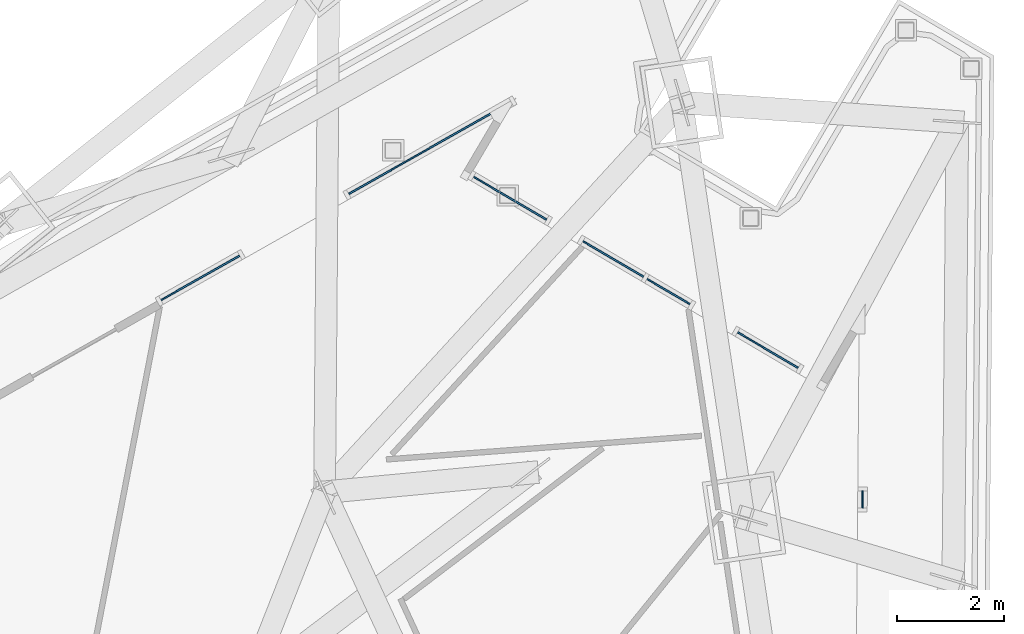
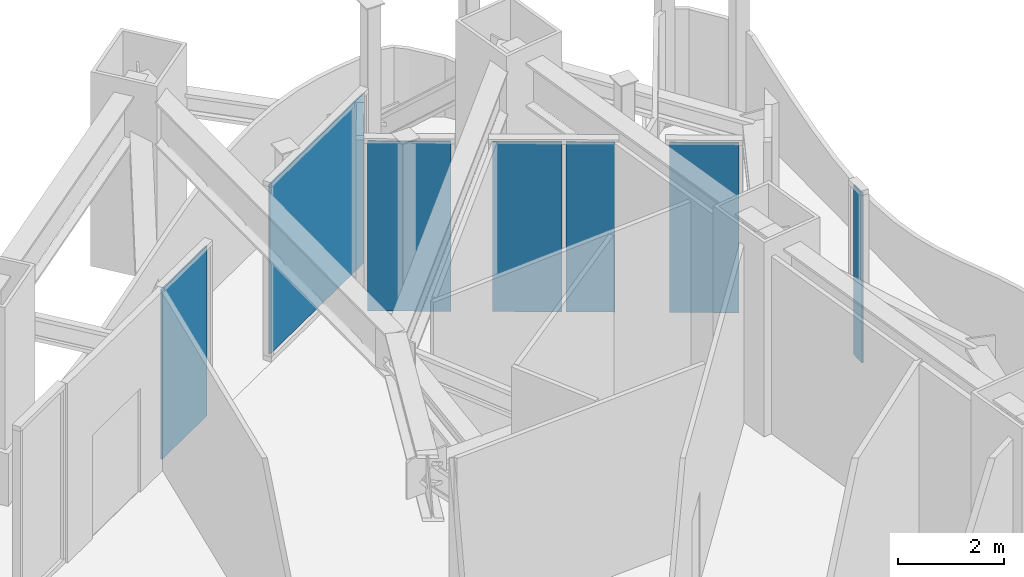
# One storey, part 11 of 27: 7 plates, 6 elements without a shape of their own.
"""IFC4 building model written with IfcOpenShell, lengths in metres."""

from ifc_helpers import new_model, si_unit, direction, frame, origin, origin_2d, place, context, subcontext, project, spatial, rectangle, extrude, material, layer, layer_set, type_object, element, aggregate, save


model = new_model("IFC4")

# Units and contexts
model_context = context("Model", 3, precision=1e-05, world=origin(), true_north=direction((0.0, 1.0)))
body_context = subcontext(model_context, "Body", "Model", "MODEL_VIEW")
ifc_project = project(units=[si_unit("LENGTHUNIT", "METRE"), si_unit("AREAUNIT", "SQUARE_METRE"), si_unit("VOLUMEUNIT", "CUBIC_METRE"), si_unit("PLANEANGLEUNIT", "RADIAN"), si_unit("MASSUNIT", "GRAM", prefix="KILO")], contexts=[model_context])

# Site, building, storey
site_placement = place(None, origin())
site = spatial("IfcSite", under=ifc_project, at=site_placement, CompositionType="ELEMENT")
building_placement = place(site_placement, origin())
building = spatial("IfcBuilding", under=site, at=building_placement, Name="Trine Commons Tower", CompositionType="ELEMENT")
storey_placement = place(building_placement, frame((0.0, 0.0, 193.5)))
storey = spatial("IfcBuildingStorey", under=building, at=storey_placement, Name="L50", CompositionType="ELEMENT", Elevation=193.5)

# Curtain wall, plate
ifc_material_1 = material(Name="Sky lounge glazing: anodised aluminium frame with low-emissivity double glazed unit, solar control", Category="aluminium")
ifc_layer_1 = layer(ifc_material_1, 0.179931640625)
ifc_layer_set_1 = layer_set([ifc_layer_1], Name="Sky lounge glazing: anodised aluminium frame with low-emissivity double glazed unit, solar control")
curtain_wall_type = type_object("IfcCurtainWallType", Name="Sky lounge glazing curtain wall CW5", PredefinedType="NOTDEFINED", material=ifc_layer_set_1)
curtain_wall_1_placement = place(storey_placement, origin())
curtain_wall_1 = element("IfcCurtainWall", 1, at=curtain_wall_1_placement, inside=storey, type_object=curtain_wall_type, Name="Sky lounge glazing L50 F1.3", PredefinedType="NOTDEFINED")
ifc_material_2 = material(Name="Low-emissivity double glazed unit, solar control")
ifc_layer_2 = layer(ifc_material_2, 0.031982421875)
ifc_layer_set_2 = layer_set([ifc_layer_2], Name="Low-emissivity double glazed unit, solar control")
plate_type = type_object("IfcPlateType", Name="Double glazed unit 32 mm (sky floors)", PredefinedType="CURTAIN_PANEL", material=ifc_layer_set_2)
plate_1_placement = place(storey_placement, frame((85.014404296875, 85.130615234375, 0.10986328125), z_axis=(0.0, 0.0, 1.0), x_axis=(0.87035569594, 0.492423560103, 0.0)))
plate_1 = element("IfcPlate", 2, at=plate_1_placement, type_object=plate_type, Name="CW5 panel 1.1", PredefinedType="CURTAIN_PANEL", context=body_context, shape_type="SweptSolid", body=[
    extrude(rectangle(XDim=1.688720703125, YDim=0.031982421875, at=origin_2d()), origin(), (0.0, 0.0, 1.0), 3.929931640625),
])
aggregate(curtain_wall_1, [plate_1])

curtain_wall_2_placement = place(storey_placement, origin())
curtain_wall_2 = element("IfcCurtainWall", 3, at=curtain_wall_2_placement, inside=storey, type_object=curtain_wall_type, Name="Sky lounge glazing L50 F1.4", PredefinedType="NOTDEFINED")
plate_2_placement = place(storey_placement, frame((89.305419921875, 87.558349609375, 0.10986328125), z_axis=(0.0, 0.0, 1.0), x_axis=(0.87035569594, 0.492423560103, 0.0)))
plate_2 = element("IfcPlate", 4, at=plate_2_placement, type_object=plate_type, Name="CW5 panel 1.1", PredefinedType="CURTAIN_PANEL", context=body_context, shape_type="SweptSolid", body=[
    extrude(rectangle(XDim=3.48583984375, YDim=0.031982421875, at=origin_2d()), origin(), (0.0, 0.0, 1.0), 3.929931640625),
])
aggregate(curtain_wall_2, [plate_2])

curtain_wall_3_placement = place(storey_placement, origin())
curtain_wall_3 = element("IfcCurtainWall", 5, at=curtain_wall_3_placement, inside=storey, type_object=curtain_wall_type, Name="Sky lounge glazing L50 P2.1", PredefinedType="NOTDEFINED")
plate_3_placement = place(storey_placement, frame((90.80322265625, 86.619384765625, 0.10986328125), z_axis=(0.0, 0.0, 1.0), x_axis=(0.861629160442, -0.507538362961, 0.0)))
plate_3 = element("IfcPlate", 6, at=plate_3_placement, type_object=plate_type, Name="CW5 panel 1.1", PredefinedType="CURTAIN_PANEL", context=body_context, shape_type="SweptSolid", body=[
    extrude(rectangle(XDim=1.58349609375, YDim=0.031982421875, at=origin_2d()), origin(), (0.0, 0.0, 1.0), 3.929931640625),
])
aggregate(curtain_wall_3, [plate_3])

# Curtain wall, plates
curtain_wall_4_placement = place(storey_placement, origin())
curtain_wall_4 = element("IfcCurtainWall", 7, at=curtain_wall_4_placement, inside=storey, type_object=curtain_wall_type, Name="Sky lounge glazing L50 P2.2", PredefinedType="NOTDEFINED")
plate_4_placement = place(storey_placement, frame((92.73193359375, 85.4833984375, 0.10986328125), z_axis=(0.0, 0.0, 1.0), x_axis=(0.861629160442, -0.507538362961, 0.0)))
plate_4 = element("IfcPlate", 8, at=plate_4_placement, type_object=plate_type, Name="CW5 panel 1.1", PredefinedType="CURTAIN_PANEL", context=body_context, shape_type="SweptSolid", body=[
    extrude(rectangle(XDim=1.314453125, YDim=0.031982421875, at=origin_2d()), origin(), (0.0, 0.0, 1.0), 3.929931640625),
])
plate_5_placement = place(storey_placement, frame((93.7646484375, 84.875, 0.10986328125), z_axis=(0.0, 0.0, 1.0), x_axis=(0.861629160442, -0.507538362961, 0.0)))
plate_5 = element("IfcPlate", 9, at=plate_5_placement, type_object=plate_type, Name="CW5 panel 2.1", PredefinedType="CURTAIN_PANEL", context=body_context, shape_type="SweptSolid", body=[
    extrude(rectangle(XDim=0.9326171875, YDim=0.031982421875, at=origin_2d()), origin(), (0.0, 0.0, 1.0), 3.929931640625),
])
aggregate(curtain_wall_4, [plate_4, plate_5])

# Curtain wall, plate
curtain_wall_5_placement = place(storey_placement, origin())
curtain_wall_5 = element("IfcCurtainWall", 10, at=curtain_wall_5_placement, inside=storey, type_object=curtain_wall_type, Name="Sky lounge glazing L50 P2.3", PredefinedType="NOTDEFINED")
plate_6_placement = place(storey_placement, frame((95.621826171875, 83.781005859375, 0.10986328125), z_axis=(0.0, 0.0, 1.0), x_axis=(0.861629160442, -0.507538362961, 0.0)))
plate_6 = element("IfcPlate", 11, at=plate_6_placement, type_object=plate_type, Name="CW5 panel 1.1", PredefinedType="CURTAIN_PANEL", context=body_context, shape_type="SweptSolid", body=[
    extrude(rectangle(XDim=1.314208984375, YDim=0.031982421875, at=origin_2d()), origin(), (0.0, 0.0, 1.0), 3.929931640625),
])
aggregate(curtain_wall_5, [plate_6])

curtain_wall_6_placement = place(storey_placement, origin())
curtain_wall_6 = element("IfcCurtainWall", 12, at=curtain_wall_6_placement, inside=storey, type_object=curtain_wall_type, Name="Sky lounge glazing L50 F2.1", PredefinedType="NOTDEFINED")
plate_7_placement = place(storey_placement, frame((97.3896484375, 80.990234375, 0.10986328125), z_axis=(0.0, 0.0, 1.0), x_axis=(-0.008726535498, -0.999961923064, 0.0)))
plate_7 = element("IfcPlate", 13, at=plate_7_placement, type_object=plate_type, Name="CW5 panel 1.1", PredefinedType="CURTAIN_PANEL", context=body_context, shape_type="SweptSolid", body=[
    extrude(rectangle(XDim=0.3193359375, YDim=0.031982421875, at=origin_2d()), origin(), (0.0, 0.0, 1.0), 3.929931640625),
])
aggregate(curtain_wall_6, [plate_7])

save(model, "model.ifc")
